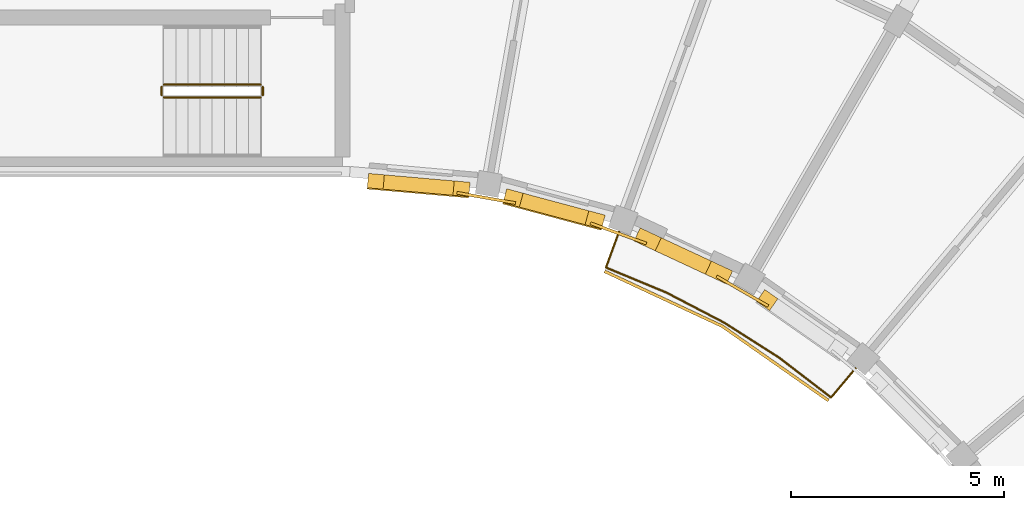
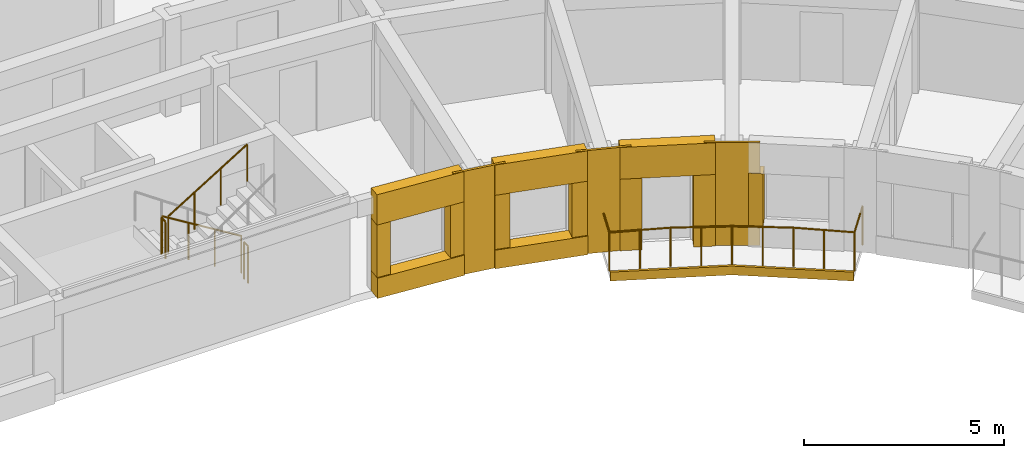
# One storey, part 47 of 53: 16 coverings, 5 railings.
"""IFC4 building model written with IfcOpenShell, lengths in metres."""

import ifcopenshell
import ifcopenshell.guid

model = None  # the IFC model being written
_history = None  # IfcOwnerHistory: only IFC2X3 demands one
_inside = {}  # id of a spatial element -> (the spatial element, [elements in it])
_under = {}  # id of a project, library or spatial element -> (it, [spatial elements below it])
_declared = {}  # id of a project -> (the project, [libraries it declares])
_typed = {}  # id of a type object -> (the type object, [elements of that type])
_made_of = {}  # id of a material, layer set ... -> (it, [elements and type objects made of it])


def new_model(schema):
    """Start an empty IFC model of exactly this schema.

    Asked for "IFC4X3", IfcOpenShell would pick the latest addendum, in which some entities
    have other attributes; the version numbers below select the first issue.
    IFC2X3 requires an IfcOwnerHistory on every rooted entity: one is made here for all.
    """
    global model, _history
    if schema == "IFC4X3":
        model = ifcopenshell.file(schema_version=(4, 3, 0, 0))
    else:
        model = ifcopenshell.file(schema=schema)
    _inside.clear()
    _under.clear()
    _declared.clear()
    _typed.clear()
    _made_of.clear()
    _history = None
    if model.schema == "IFC2X3":
        org = make("IfcOrganization", Name="unknown")
        user = make(
            "IfcPersonAndOrganization",
            ThePerson=make("IfcPerson", FamilyName="unknown"),
            TheOrganization=org,
        )
        app = make(
            "IfcApplication",
            ApplicationDeveloper=org,
            Version="unknown",
            ApplicationFullName="unknown",
            ApplicationIdentifier="unknown",
        )
        _history = make(
            "IfcOwnerHistory",
            OwningUser=user,
            OwningApplication=app,
            ChangeAction="ADDED",
            CreationDate=0,
        )
    return model


def make(cls, **values):
    """One entity of the class cls with the attributes given. An attribute that is None is left unset."""
    return model.create_entity(
        cls, **{name: value for name, value in values.items() if value is not None}
    )


def rooted(cls, **values):
    """An entity with a GlobalId (a new one), such as an element, a storey or a relation."""
    return make(cls, GlobalId=ifcopenshell.guid.new(), OwnerHistory=_history, **values)


def si_unit(unit_type, name, prefix=None):
    """IfcSIUnit, for example si_unit("LENGTHUNIT", "METRE", prefix="MILLI")."""
    return make("IfcSIUnit", UnitType=unit_type, Prefix=prefix, Name=name)


def assignment(units):
    """IfcUnitAssignment: the units of a project."""
    return None if units is None else make("IfcUnitAssignment", Units=units)


def point(xyz):
    """IfcCartesianPoint."""
    return None if xyz is None else make("IfcCartesianPoint", Coordinates=xyz)


def direction(xyz):
    """IfcDirection."""
    return None if xyz is None else make("IfcDirection", DirectionRatios=xyz)


def frame(location, z_axis=None, x_axis=None):
    """IfcAxis2Placement3D, a coordinate frame: its origin and axes. An axis left out is left unset."""
    return make(
        "IfcAxis2Placement3D",
        Location=point(location),
        Axis=direction(z_axis),
        RefDirection=direction(x_axis),
    )


def frame_2d(location, x_axis=None):
    """IfcAxis2Placement2D, a coordinate frame in the plane: its origin and x axis."""
    return make(
        "IfcAxis2Placement2D", Location=point(location), RefDirection=direction(x_axis)
    )


def origin():
    """The frame at (0, 0, 0) with its axes left unset."""
    return frame((0.0, 0.0, 0.0))


def origin_2d():
    """The frame at (0, 0) in the plane with its x axis left unset."""
    return frame_2d((0.0, 0.0))


def place(relative_to, where):
    """IfcLocalPlacement: puts the frame where relative to a parent placement (None: the world)."""
    return make(
        "IfcLocalPlacement", PlacementRelTo=relative_to, RelativePlacement=where
    )


def context(
    kind, dimensions, precision=None, world=None, true_north=None, identifier=None
):
    """IfcGeometricRepresentationContext, for example the 3D "Model" context."""
    return make(
        "IfcGeometricRepresentationContext",
        ContextIdentifier=identifier,
        ContextType=kind,
        CoordinateSpaceDimension=dimensions,
        Precision=precision,
        WorldCoordinateSystem=world,
        TrueNorth=true_north,
    )


def subcontext(parent, identifier, kind, view, scale=None):
    """IfcGeometricRepresentationSubContext, for example "Body" below "Model"."""
    return make(
        "IfcGeometricRepresentationSubContext",
        ContextIdentifier=identifier,
        ContextType=kind,
        ParentContext=parent,
        TargetScale=scale,
        TargetView=view,
    )


def project(units=None, contexts=None):
    """IfcProject with its units and contexts."""
    return rooted(
        "IfcProject",
        Name="project",
        RepresentationContexts=contexts,
        UnitsInContext=assignment(units),
    )


def spatial(cls, under=None, at=None, **own):
    """A site, building, storey or space (cls), placed at a placement, below another one or the project."""
    s = rooted(cls, ObjectPlacement=at, **own)
    if under is not None:
        _under.setdefault(under.id(), (under, []))[1].append(s)
    return s


def polyline(points):
    """IfcPolyline through the points."""
    return make("IfcPolyline", Points=[point(p) for p in points])


def profile(cls, at=None, kind="AREA", **sizes):
    """A parametric profile (cls). Its sizes go by their IFC names, for example OverallWidth=200.0."""
    return make(cls, ProfileType=kind, Position=at, **sizes)


def circle(**sizes):
    """IfcCircleProfileDef."""
    return profile("IfcCircleProfileDef", **sizes)


def outline(outer, holes=None, kind="AREA"):
    """IfcArbitraryClosedProfileDef: a profile drawn as a closed curve; with holes, ...WithVoids."""
    if holes is None:
        return make("IfcArbitraryClosedProfileDef", ProfileType=kind, OuterCurve=outer)
    return make(
        "IfcArbitraryProfileDefWithVoids",
        ProfileType=kind,
        OuterCurve=outer,
        InnerCurves=holes,
    )


def extrude(swept, where, along, depth):
    """IfcExtrudedAreaSolid: the profile swept, set in the frame where, extruded along a direction by depth."""
    return make(
        "IfcExtrudedAreaSolid",
        SweptArea=swept,
        Position=where,
        ExtrudedDirection=direction(along),
        Depth=depth,
    )


def shape(context_of_items, identifier, shape_type, items):
    """IfcShapeRepresentation: the items that make up one representation, for example the "Body"."""
    return make(
        "IfcShapeRepresentation",
        ContextOfItems=context_of_items,
        RepresentationIdentifier=identifier,
        RepresentationType=shape_type,
        Items=items,
    )


def material(Name=None, Category=None):
    """IfcMaterial."""
    return make("IfcMaterial", Name=Name, Category=Category)


def layer(
    of_material, thickness, ventilated=None, Name=None, Category=None, Priority=None
):
    """IfcMaterialLayer: one layer of a wall or slab, of a material (None: an air gap)."""
    return make(
        "IfcMaterialLayer",
        Material=of_material,
        LayerThickness=thickness,
        IsVentilated=ventilated,
        Name=Name,
        Category=Category,
        Priority=Priority,
    )


def layer_set(layers, Name=None):
    """IfcMaterialLayerSet."""
    return make("IfcMaterialLayerSet", MaterialLayers=layers, LayerSetName=Name)


def made_of(thing, what):
    """Note that an element or type object is made of a material, layer set ...; save() writes the relation."""
    if what is not None:
        _made_of.setdefault(what.id(), (what, []))[1].append(thing)
    return thing


def type_object(cls, material=None, **own):
    """A type object (cls), such as IfcWallType, which elements share."""
    return made_of(rooted(cls, **own), material)


def element(
    cls,
    number,
    at=None,
    inside=None,
    cuts=None,
    type_object=None,
    material=None,
    context=None,
    identifier="Body",
    shape_type=None,
    held_by="IfcProductDefinitionShape",
    body=None,
    shapes=None,
    **own,
):
    """One element of the class cls, such as IfcWall. Its Tag is "e" and its number.

    at: its placement. inside: the storey or other place that contains it. cuts: it is an
    opening in that element (IfcRelVoidsElement). A single representation is given by context,
    identifier, shape_type and body (its items); several are given by shapes. held_by: the class
    of the entity that holds the representations. save() writes the other relations.
    """
    e = rooted(cls, Tag="e%d" % number, ObjectPlacement=at, **own)
    if body is not None:
        shapes = [shape(context, identifier, shape_type, body)]
    if shapes is not None:
        e.Representation = make(held_by, Representations=shapes)
    if inside is not None:
        _inside.setdefault(inside.id(), (inside, []))[1].append(e)
    if cuts is not None:
        rooted(
            "IfcRelVoidsElement", RelatingBuildingElement=cuts, RelatedOpeningElement=e
        )
    if type_object is not None:
        _typed.setdefault(type_object.id(), (type_object, []))[1].append(e)
    return made_of(e, material)


def aggregate(whole, parts):
    """IfcRelAggregates: a whole, such as a stair, and the parts it consists of."""
    return rooted("IfcRelAggregates", RelatingObject=whole, RelatedObjects=parts)


def save(model, path):
    """Write the relations noted so far, then the file.

    IfcRelAggregates (storeys below a building ...), IfcRelContainedInSpatialStructure (elements
    in a storey), IfcRelDefinesByType, IfcRelAssociatesMaterial and IfcRelDeclares: one each for
    every whole, place, type object, material and project.
    """
    for whole, parts in _under.values():
        aggregate(whole, parts)
    for where, things in _inside.values():
        rooted(
            "IfcRelContainedInSpatialStructure",
            RelatedElements=things,
            RelatingStructure=where,
        )
    for kind, things in _typed.values():
        rooted("IfcRelDefinesByType", RelatedObjects=things, RelatingType=kind)
    for what, things in _made_of.values():
        rooted("IfcRelAssociatesMaterial", RelatedObjects=things, RelatingMaterial=what)
    for by, libraries in _declared.values():
        rooted("IfcRelDeclares", RelatingContext=by, RelatedDefinitions=libraries)
    model.write(path)


model = new_model("IFC4")

# Units and contexts
model_context = context("Model", 3, precision=1e-05, world=origin(), true_north=direction((0.0, 1.0)))
body_context = subcontext(model_context, "Body", "Model", "MODEL_VIEW")
ifc_project = project(units=[si_unit("LENGTHUNIT", "METRE"), si_unit("AREAUNIT", "SQUARE_METRE"), si_unit("VOLUMEUNIT", "CUBIC_METRE"), si_unit("PLANEANGLEUNIT", "RADIAN"), si_unit("MASSUNIT", "GRAM", prefix="KILO")], contexts=[model_context])

# Site, building, storey
site_placement = place(None, origin())
site = spatial("IfcSite", under=ifc_project, at=site_placement, CompositionType="ELEMENT")
building_placement = place(site_placement, origin())
building = spatial("IfcBuilding", under=site, at=building_placement, Name="Kiranvali Square Residences", CompositionType="ELEMENT")
storey_placement = place(building_placement, frame((0.0, 0.0, 30.75)))
storey = spatial("IfcBuildingStorey", under=building, at=storey_placement, Name="L09", CompositionType="ELEMENT", Elevation=30.75)

# Coverings
ifc_material_1 = material(Name="Carved Porbandar limestone classical entablature and cornice", Category="masonry")
ifc_layer_1 = layer(ifc_material_1, 0.06201171875)
ifc_layer_set_1 = layer_set([ifc_layer_1], Name="Carved Porbandar limestone classical entablature and cornice")
covering_type_1 = type_object("IfcCoveringType", Name="COV-CLAD-GBAL", PredefinedType="CLADDING", material=ifc_layer_set_1)
covering_1_placement = place(storey_placement, frame((0.0, 0.0, -0.219970703125)))
element("IfcCovering", 1, at=covering_1_placement, inside=storey, type_object=covering_type_1, Name="Block B L09 garden balcony limestone fascia 1", PredefinedType="CLADDING", context=body_context, shape_type="SweptSolid", body=[
    extrude(outline(polyline([(125.778564453125, 104.225830078125), (128.5400390625, 102.938232421875), (131.035888671875, 101.1904296875), (131.07958984375, 101.242431640625), (128.573974609375, 102.9970703125), (125.8017578125, 104.289794921875), (125.778564453125, 104.225830078125)])), origin(), (0.0, 0.0, 1.0), 0.27001953125),
])
ifc_material_2 = material(Name="Honed Porbandar limestone ashlar facade cladding", Category="masonry")
ifc_layer_2 = layer(ifc_material_2, 0.3798828125)
ifc_layer_set_2 = layer_set([ifc_layer_2], Name="Honed Porbandar limestone ashlar facade cladding")
covering_type_2 = type_object("IfcCoveringType", Name="COV-CLAD-JAMB", PredefinedType="CLADDING", material=ifc_layer_set_2)
covering_2_placement = place(storey_placement, frame((0.0, 0.0, 0.6220703125)))
element("IfcCovering", 2, at=covering_2_placement, inside=storey, type_object=covering_type_2, Name="L09 deep limestone window jamb reveal B-L09-GDN-00.L", PredefinedType="CLADDING", context=body_context, shape_type="SweptSolid", body=[
    extrude(outline(polyline([(120.208740234375, 106.222900390625), (120.580810546875, 106.1904296875), (120.6103515625, 106.528564453125), (120.23828125, 106.56103515625), (120.208740234375, 106.222900390625)])), origin(), (0.0, 0.0, 1.0), 1.599853515625),
])
covering_3_placement = place(storey_placement, frame((0.0, 0.0, 0.6220703125)))
element("IfcCovering", 3, at=covering_3_placement, inside=storey, type_object=covering_type_2, Name="L09 deep limestone window jamb reveal B-L09-GDN-00.R", PredefinedType="CLADDING", context=body_context, shape_type="SweptSolid", body=[
    extrude(outline(polyline([(122.224609375, 106.046630859375), (122.5966796875, 106.013916015625), (122.626220703125, 106.352294921875), (122.254150390625, 106.384765625), (122.224609375, 106.046630859375)])), origin(), (0.0, 0.0, 1.0), 1.599853515625),
])
covering_4_placement = place(storey_placement, frame((0.0, 0.0, 0.572021484375)))
element("IfcCovering", 4, at=covering_4_placement, inside=storey, type_object=covering_type_2, Name="L09 deep limestone window jamb reveal B-L09-GDN-01.L", PredefinedType="CLADDING", context=body_context, shape_type="SweptSolid", body=[
    extrude(outline(polyline([(123.401611328125, 105.8720703125), (123.78662109375, 105.76904296875), (123.87451171875, 106.096923828125), (123.489501953125, 106.199951171875), (123.401611328125, 105.8720703125)])), origin(), (0.0, 0.0, 1.0), 1.64990234375),
])
covering_5_placement = place(storey_placement, frame((0.0, 0.0, 0.572021484375)))
element("IfcCovering", 5, at=covering_5_placement, inside=storey, type_object=covering_type_2, Name="L09 deep limestone window jamb reveal B-L09-GDN-01.R", PredefinedType="CLADDING", context=body_context, shape_type="SweptSolid", body=[
    extrude(outline(polyline([(125.33203125, 105.354736328125), (125.717041015625, 105.251708984375), (125.804931640625, 105.57958984375), (125.419921875, 105.682861328125), (125.33203125, 105.354736328125)])), origin(), (0.0, 0.0, 1.0), 1.64990234375),
])
covering_6_placement = place(storey_placement, origin())
element("IfcCovering", 6, at=covering_6_placement, inside=storey, type_object=covering_type_2, Name="L09 deep limestone window jamb reveal B-L09-GDN-02.L", PredefinedType="CLADDING", context=body_context, shape_type="SweptSolid", body=[
    extrude(outline(polyline([(126.485107421875, 104.97216796875), (126.982177734375, 104.740234375), (127.125732421875, 105.048095703125), (126.62841796875, 105.27978515625), (126.485107421875, 104.97216796875)])), origin(), (0.0, 0.0, 1.0), 2.179931640625),
])
covering_7_placement = place(storey_placement, origin())
element("IfcCovering", 7, at=covering_7_placement, inside=storey, type_object=covering_type_2, Name="L09 deep limestone window jamb reveal B-L09-GDN-02.R", PredefinedType="CLADDING", context=body_context, shape_type="SweptSolid", body=[
    extrude(outline(polyline([(128.160400390625, 104.19091796875), (128.657470703125, 103.958984375), (128.801025390625, 104.266845703125), (128.303955078125, 104.49853515625), (128.160400390625, 104.19091796875)])), origin(), (0.0, 0.0, 1.0), 2.179931640625),
])
covering_8_placement = place(storey_placement, frame((0.0, 0.0, 0.6220703125)))
element("IfcCovering", 8, at=covering_8_placement, inside=storey, type_object=covering_type_2, Name="L09 deep limestone window jamb reveal B-L09-GDN-03.L", PredefinedType="CLADDING", context=body_context, shape_type="SweptSolid", body=[
    extrude(outline(polyline([(129.365478515625, 103.55029296875), (129.67138671875, 103.336181640625), (129.8662109375, 103.6142578125), (129.56005859375, 103.828369140625), (129.365478515625, 103.55029296875)])), origin(), (0.0, 0.0, 1.0), 1.599853515625),
])
ifc_layer_3 = layer(ifc_material_2, 0.050048828125)
ifc_layer_set_3 = layer_set([ifc_layer_3], Name="Honed Porbandar limestone ashlar facade cladding")
covering_type_3 = type_object("IfcCoveringType", Name="COV-CLAD-PIER-IN", PredefinedType="CLADDING", material=ifc_layer_set_3)
covering_9_placement = place(storey_placement, frame((0.0, 0.0, 0.0048828125)))
element("IfcCovering", 9, at=covering_9_placement, inside=storey, type_object=covering_type_3, Name="L09 Classical garden courtyard pilaster CLAD-PRIN-B-L09-A01", PredefinedType="CLADDING", context=body_context, shape_type="SweptSolid", body=[
    extrude(outline(polyline([(122.311279296875, 106.073486328125), (123.68994140625, 105.830322265625), (123.70166015625, 105.89697265625), (122.322998046875, 106.139892578125), (122.311279296875, 106.073486328125)])), origin(), (0.0, 0.0, 1.0), 3.14013671875),
])
covering_10_placement = place(storey_placement, frame((0.0, 0.0, 0.0048828125)))
element("IfcCovering", 10, at=covering_10_placement, inside=storey, type_object=covering_type_3, Name="L09 Classical garden courtyard pilaster CLAD-PRIN-B-L09-A02", PredefinedType="CLADDING", context=body_context, shape_type="SweptSolid", body=[
    extrude(outline(polyline([(125.4462890625, 105.35986328125), (126.761962890625, 104.881103515625), (126.784912109375, 104.9443359375), (125.469482421875, 105.42333984375), (125.4462890625, 105.35986328125)])), origin(), (0.0, 0.0, 1.0), 3.14013671875),
])
covering_11_placement = place(storey_placement, frame((0.0, 0.0, 0.0048828125)))
element("IfcCovering", 11, at=covering_11_placement, inside=storey, type_object=covering_type_3, Name="L09 Classical garden courtyard pilaster CLAD-PRIN-B-L09-A03", PredefinedType="CLADDING", context=body_context, shape_type="SweptSolid", body=[
    extrude(outline(polyline([(128.40966796875, 104.112548828125), (129.622314453125, 103.41259765625), (129.656005859375, 103.470947265625), (128.443603515625, 104.171142578125), (128.40966796875, 104.112548828125)])), origin(), (0.0, 0.0, 1.0), 3.14013671875),
])
ifc_layer_4 = layer(ifc_material_2, 0.360107421875)
ifc_layer_set_4 = layer_set([ifc_layer_4], Name="Honed Porbandar limestone ashlar facade cladding")
covering_type_4 = type_object("IfcCoveringType", Name="COV-CLAD-WALL", PredefinedType="CLADDING", material=ifc_layer_set_4)
covering_12_placement = place(storey_placement, frame((0.0, 0.0, 2.221923828125)))
element("IfcCovering", 12, at=covering_12_placement, inside=storey, type_object=covering_type_4, Name="L09 light limestone spandrel lintel B-L09-GDN-00", PredefinedType="CLADDING", context=body_context, shape_type="SweptSolid", body=[
    extrude(outline(polyline([(120.208740234375, 106.222900390625), (122.5966796875, 106.013916015625), (122.626220703125, 106.352294921875), (120.23828125, 106.56103515625), (120.208740234375, 106.222900390625)])), origin(), (0.0, 0.0, 1.0), 0.923095703125),
])
covering_13_placement = place(storey_placement, frame((0.0, 0.0, 2.221923828125)))
element("IfcCovering", 13, at=covering_13_placement, inside=storey, type_object=covering_type_4, Name="L09 light limestone spandrel lintel B-L09-GDN-01", PredefinedType="CLADDING", context=body_context, shape_type="SweptSolid", body=[
    extrude(outline(polyline([(123.401611328125, 105.8720703125), (125.717041015625, 105.251708984375), (125.804931640625, 105.57958984375), (123.489501953125, 106.199951171875), (123.401611328125, 105.8720703125)])), origin(), (0.0, 0.0, 1.0), 0.923095703125),
])
covering_14_placement = place(storey_placement, frame((0.0, 0.0, 2.179931640625)))
element("IfcCovering", 14, at=covering_14_placement, inside=storey, type_object=covering_type_4, Name="L09 light limestone spandrel lintel B-L09-GDN-02", PredefinedType="CLADDING", context=body_context, shape_type="SweptSolid", body=[
    extrude(outline(polyline([(126.485107421875, 104.97216796875), (128.657470703125, 103.958984375), (128.801025390625, 104.266845703125), (126.62841796875, 105.27978515625), (126.485107421875, 104.97216796875)])), origin(), (0.0, 0.0, 1.0), 0.965087890625),
])
ifc_layer_5 = layer(ifc_material_2, 0.2900390625)
ifc_layer_set_5 = layer_set([ifc_layer_5], Name="Honed Porbandar limestone ashlar facade cladding")
covering_type_5 = type_object("IfcCoveringType", Name="COV-CLAD-WALL-IN", PredefinedType="CLADDING", material=ifc_layer_set_5)
covering_15_placement = place(storey_placement, frame((0.0, 0.0, 0.0048828125)))
element("IfcCovering", 15, at=covering_15_placement, inside=storey, type_object=covering_type_5, Name="L09 limestone window sill apron B-L09-GDN-00", PredefinedType="CLADDING", context=body_context, shape_type="SweptSolid", body=[
    extrude(outline(polyline([(120.2060546875, 106.193115234375), (122.593994140625, 105.984130859375), (122.626220703125, 106.352294921875), (120.23828125, 106.56103515625), (120.2060546875, 106.193115234375)])), origin(), (0.0, 0.0, 1.0), 0.6171875),
])
covering_16_placement = place(storey_placement, frame((0.0, 0.0, 0.0048828125)))
element("IfcCovering", 16, at=covering_16_placement, inside=storey, type_object=covering_type_5, Name="L09 limestone window sill apron B-L09-GDN-01", PredefinedType="CLADDING", context=body_context, shape_type="SweptSolid", body=[
    extrude(outline(polyline([(123.393798828125, 105.843017578125), (125.709228515625, 105.22265625), (125.804931640625, 105.57958984375), (123.489501953125, 106.199951171875), (123.393798828125, 105.843017578125)])), origin(), (0.0, 0.0, 1.0), 0.567138671875),
])

# Railings
ifc_material_3 = material(Name="Powder-coated architectural bronze balustrade", Category="steel")
railing_type_1 = type_object("IfcRailingType", Name="RL-BAL-GOLD-1200", PredefinedType="BALUSTRADE", material=ifc_material_3)
railing_1_placement = place(storey_placement, frame((126.21630859375, 105.4287109375, 0.0)))
element("IfcRailing", 17, at=railing_1_placement, inside=storey, type_object=railing_type_1, Name="Block B L09 garden balcony gold balustrade 1", PredefinedType="BALUSTRADE", context=body_context, shape_type="SweptSolid", body=[
    extrude(circle(Radius=0.02392578125, at=origin_2d()), frame((0.0, 0.0, 1.17578125), z_axis=(-0.341964618562, -0.939712828289, 0.0), x_axis=(0.939712828289, -0.341964618562, 0.0)), (0.0, 0.0, 1.0), 1.150146484375),
    extrude(circle(Radius=0.02392578125, at=origin_2d()), frame((-0.393310546875, -1.080810546875, 1.17578125), z_axis=(0.923892883829, -0.382651197843, 0.0), x_axis=(0.382651197843, 0.923892883829, 0.0)), (0.0, 0.0, 1.0), 1.536376953125),
    extrude(circle(Radius=0.02392578125, at=origin_2d()), frame((1.026123046875, -1.668701171875, 1.17578125), z_axis=(0.887029366154, -0.461713009976, 0.0), x_axis=(0.461713009976, 0.887029366154, 0.0)), (0.0, 0.0, 1.0), 1.5361328125),
    extrude(circle(Radius=0.02392578125, at=origin_2d()), frame((2.388671875, -2.3779296875, 1.17578125), z_axis=(0.843386539688, -0.537307309343, 0.0), x_axis=(0.537307309343, 0.843386539688, 0.0)), (0.0, 0.0, 1.0), 1.5361328125),
    extrude(circle(Radius=0.02392578125, at=origin_2d()), frame((3.684326171875, -3.203369140625, 1.17578125), z_axis=(0.793314680996, -0.608811807471, 0.0), x_axis=(0.608811807471, 0.793314680996, 0.0)), (0.0, 0.0, 1.0), 1.536376953125),
    extrude(circle(Radius=0.02392578125, at=origin_2d()), frame((4.903076171875, -4.138671875, 1.17578125), z_axis=(0.642853454051, 0.765989188314, 0.0), x_axis=(-0.765989188314, 0.642853454051, 0.0)), (0.0, 0.0, 1.0), 1.14990234375),
    extrude(circle(Radius=0.02099609375, at=origin_2d()), origin(), (0.0, 0.0, 1.0), 1.15185546875),
    extrude(circle(Radius=0.02099609375, at=origin_2d()), frame((-0.393310546875, -1.080810546875, 0.0)), (0.0, 0.0, 1.0), 1.15185546875),
    extrude(circle(Radius=0.02099609375, at=origin_2d()), frame((0.31640625, -1.374755859375, 0.0)), (0.0, 0.0, 1.0), 1.15185546875),
    extrude(circle(Radius=0.02099609375, at=origin_2d()), frame((1.026123046875, -1.668701171875, 0.0)), (0.0, 0.0, 1.0), 1.15185546875),
    extrude(circle(Radius=0.02099609375, at=origin_2d()), frame((1.70751953125, -2.0234375, 0.0)), (0.0, 0.0, 1.0), 1.15185546875),
    extrude(circle(Radius=0.02099609375, at=origin_2d()), frame((2.388671875, -2.3779296875, 0.0)), (0.0, 0.0, 1.0), 1.15185546875),
    extrude(circle(Radius=0.02099609375, at=origin_2d()), frame((3.03662109375, -2.79052734375, 0.0)), (0.0, 0.0, 1.0), 1.15185546875),
    extrude(circle(Radius=0.02099609375, at=origin_2d()), frame((3.684326171875, -3.203369140625, 0.0)), (0.0, 0.0, 1.0), 1.15185546875),
    extrude(circle(Radius=0.02099609375, at=origin_2d()), frame((4.293701171875, -3.6708984375, 0.0)), (0.0, 0.0, 1.0), 1.15185546875),
    extrude(circle(Radius=0.02099609375, at=origin_2d()), frame((4.903076171875, -4.138671875, 0.0)), (0.0, 0.0, 1.0), 1.15185546875),
    extrude(circle(Radius=0.02099609375, at=origin_2d()), frame((5.642333984375, -3.2578125, 0.0)), (0.0, 0.0, 1.0), 1.15185546875),
])
railing_type_2 = type_object("IfcRailingType", Name="RL-ST-GUARD-1200", PredefinedType="GUARDRAIL", material=ifc_material_3)
railing_2_placement = place(storey_placement, frame((117.699951171875, 108.64990234375, 0.175048828125)))
element("IfcRailing", 18, at=railing_2_placement, inside=storey, type_object=railing_type_2, Name="L09 ST-B2 stair guard 1", PredefinedType="GUARDRAIL", context=body_context, shape_type="SweptSolid", body=[
    extrude(circle(Radius=0.02392578125, at=origin_2d()), frame((0.0, 0.0, 1.1259765625), z_axis=(-0.852190499154, 0.0, 0.523231643875), x_axis=(0.0, -1.0, 0.0)), (0.0, 0.0, 1.0), 2.675537109375),
    extrude(circle(Radius=0.02099609375, at=origin_2d()), origin(), (0.0, 0.0, 1.0), 1.101806640625),
    extrude(circle(Radius=0.02099609375, at=origin_2d()), frame((-0.760009765625, 0.0, 0.466552734375)), (0.0, 0.0, 1.0), 1.101806640625),
    extrude(circle(Radius=0.02099609375, at=origin_2d()), frame((-1.52001953125, 0.0, 0.933349609375)), (0.0, 0.0, 1.0), 1.101806640625),
    extrude(circle(Radius=0.02099609375, at=origin_2d()), frame((-2.280029296875, 0.0, 1.39990234375)), (0.0, 0.0, 1.0), 1.101806640625),
])
railing_3_placement = place(storey_placement, frame((115.3701171875, 108.60009765625, 1.574951171875)))
element("IfcRailing", 19, at=railing_3_placement, inside=storey, type_object=railing_type_2, Name="L09 ST-B2 stair guard 2", PredefinedType="GUARDRAIL", context=body_context, shape_type="SweptSolid", body=[
    extrude(circle(Radius=0.02392578125, at=origin_2d()), frame((0.0, 0.0, 1.1259765625), z_axis=(0.0, -1.0, 0.0), x_axis=(1.0, 0.0, 0.0)), (0.0, 0.0, 1.0), 0.2001953125),
    extrude(circle(Radius=0.02099609375, at=origin_2d()), origin(), (0.0, 0.0, 1.0), 1.101806640625),
    extrude(circle(Radius=0.02099609375, at=origin_2d()), frame((0.0, -0.2001953125, 0.0)), (0.0, 0.0, 1.0), 1.101806640625),
])
railing_4_placement = place(storey_placement, frame((115.419921875, 108.35009765625, 1.75)))
element("IfcRailing", 20, at=railing_4_placement, inside=storey, type_object=railing_type_2, Name="L09 ST-B2 stair guard 3", PredefinedType="GUARDRAIL", context=body_context, shape_type="SweptSolid", body=[
    extrude(circle(Radius=0.02392578125, at=origin_2d()), frame((0.0, 0.0, 1.1259765625), z_axis=(0.852190499154, 0.0, 0.523231643875), x_axis=(0.0, 1.0, 0.0)), (0.0, 0.0, 1.0), 2.675537109375),
    extrude(circle(Radius=0.02099609375, at=origin_2d()), origin(), (0.0, 0.0, 1.0), 1.101806640625),
    extrude(circle(Radius=0.02099609375, at=origin_2d()), frame((0.760009765625, 0.0, 0.466552734375)), (0.0, 0.0, 1.0), 1.101806640625),
    extrude(circle(Radius=0.02099609375, at=origin_2d()), frame((1.52001953125, 0.0, 0.933349609375)), (0.0, 0.0, 1.0), 1.101806640625),
    extrude(circle(Radius=0.02099609375, at=origin_2d()), frame((2.280029296875, 0.0, 1.39990234375)), (0.0, 0.0, 1.0), 1.101806640625),
])
railing_5_placement = place(storey_placement, frame((117.75, 108.60009765625, 0.0)))
element("IfcRailing", 21, at=railing_5_placement, inside=storey, type_object=railing_type_2, Name="L09 ST-B2 stair guard 4", PredefinedType="GUARDRAIL", context=body_context, shape_type="SweptSolid", body=[
    extrude(circle(Radius=0.02392578125, at=origin_2d()), frame((0.0, 0.0, 1.1259765625), z_axis=(0.0, -1.0, 0.0), x_axis=(1.0, 0.0, 0.0)), (0.0, 0.0, 1.0), 0.2001953125),
    extrude(circle(Radius=0.02099609375, at=origin_2d()), origin(), (0.0, 0.0, 1.0), 1.101806640625),
    extrude(circle(Radius=0.02099609375, at=origin_2d()), frame((0.0, -0.2001953125, 0.0)), (0.0, 0.0, 1.0), 1.101806640625),
])

save(model, "model.ifc")
